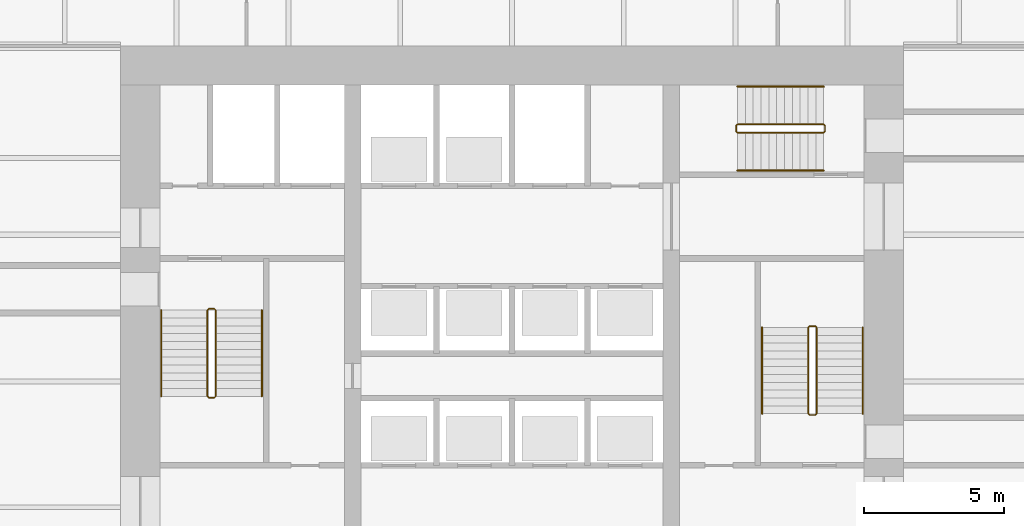
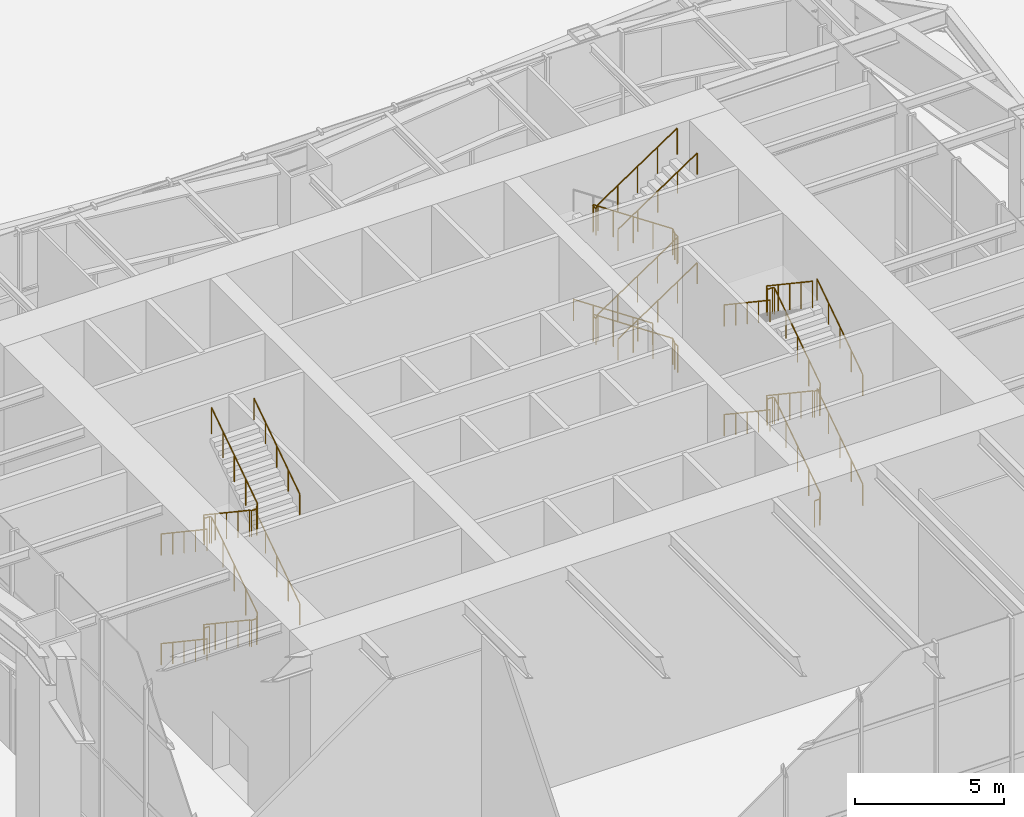
# One storey, part 11 of 13: 14 railings.
"""IFC4 building model written with IfcOpenShell, lengths in metres."""

from ifc_helpers import new_model, si_unit, direction, frame, origin, origin_2d, place, context, subcontext, project, spatial, circle, extrude, material, type_object, element, save


model = new_model("IFC4")

# Units and contexts
model_context = context("Model", 3, precision=1e-05, world=origin(), true_north=direction((0.0, 1.0)))
body_context = subcontext(model_context, "Body", "Model", "MODEL_VIEW")
ifc_project = project(units=[si_unit("LENGTHUNIT", "METRE"), si_unit("AREAUNIT", "SQUARE_METRE"), si_unit("VOLUMEUNIT", "CUBIC_METRE"), si_unit("PLANEANGLEUNIT", "RADIAN"), si_unit("MASSUNIT", "GRAM", prefix="KILO")], contexts=[model_context])

# Site, building, storey
site_placement = place(None, origin())
site = spatial("IfcSite", under=ifc_project, at=site_placement, CompositionType="ELEMENT")
building_placement = place(site_placement, origin())
building = spatial("IfcBuilding", under=site, at=building_placement, Name="Verdant Reach Tower", CompositionType="ELEMENT")
storey_placement = place(building_placement, origin())
storey = spatial("IfcBuildingStorey", under=building, at=storey_placement, Name="G", CompositionType="ELEMENT", Elevation=0.0)

# Railings
ifc_material = material(Name="Stainless steel", Category="steel")
railing_type_1 = type_object("IfcRailingType", Name="CO-GUARD", PredefinedType="GUARDRAIL", material=ifc_material)
railing_1_placement = place(storey_placement, frame((-10.64990234375, 29.60009765625, 0.0)))
element("IfcRailing", 1, at=railing_1_placement, inside=storey, type_object=railing_type_1, Name="G ST-1 stair guard 1", PredefinedType="GUARDRAIL", context=body_context, shape_type="SweptSolid", body=[
    extrude(circle(Radius=0.02392578125, at=origin_2d()), frame((0.0, 0.0, 1.076171875), z_axis=(-1.0, 0.0, 0.0), x_axis=(0.0, -1.0, 0.0)), (0.0, 0.0, 1.0), 0.2001953125),
    extrude(circle(Radius=0.02392578125, at=origin_2d()), frame((-0.2001953125, 0.0, 1.076171875), z_axis=(-0.248583702486, -0.249802250048, 0.935844527007), x_axis=(0.708833529934, -0.705375805398, 0.0)), (0.0, 0.0, 1.0), 0.200439453125),
    extrude(circle(Radius=0.02392578125, at=origin_2d()), frame((-0.25, -0.050048828125, 1.263671875), z_axis=(0.0, -0.830913701846, 0.55640131208), x_axis=(1.0, 0.0, 0.0)), (0.0, 0.0, 1.0), 3.706787109375),
    extrude(circle(Radius=0.02392578125, at=origin_2d()), frame((-0.25, -3.130126953125, 3.326171875), z_axis=(0.705375805398, -0.708833529934, 0.0), x_axis=(0.708833529934, 0.705375805398, 0.0)), (0.0, 0.0, 1.0), 0.070556640625),
    extrude(circle(Radius=0.02392578125, at=origin_2d()), frame((-0.2001953125, -3.18017578125, 3.326171875), z_axis=(1.0, 0.0, 0.0), x_axis=(0.0, 1.0, 0.0)), (0.0, 0.0, 1.0), 0.2001953125),
    extrude(circle(Radius=0.02392578125, at=origin_2d()), frame((0.0, -3.18017578125, 3.326171875), z_axis=(0.248583702486, 0.249802250048, 0.935844527007), x_axis=(-0.708833529934, 0.705375805398, 0.0)), (0.0, 0.0, 1.0), 0.200439453125),
    extrude(circle(Radius=0.02392578125, at=origin_2d()), frame((0.0498046875, -3.130126953125, 3.513671875), z_axis=(0.0, 0.830913701846, 0.55640131208), x_axis=(-1.0, 0.0, 0.0)), (0.0, 0.0, 1.0), 3.706787109375),
    extrude(circle(Radius=0.02392578125, at=origin_2d()), frame((0.0498046875, -0.050048828125, 5.576171875), z_axis=(-0.705375805398, 0.708833529934, 0.0), x_axis=(-0.708833529934, -0.705375805398, 0.0)), (0.0, 0.0, 1.0), 0.070556640625),
    extrude(circle(Radius=0.02392578125, at=origin_2d()), frame((0.0, 0.0, 5.576171875), z_axis=(-1.0, 0.0, 0.0), x_axis=(0.0, -1.0, 0.0)), (0.0, 0.0, 1.0), 0.2001953125),
    extrude(circle(Radius=0.02392578125, at=origin_2d()), frame((-0.2001953125, 0.0, 5.576171875), z_axis=(-0.248583702486, -0.249802250048, 0.935844527007), x_axis=(0.708833529934, -0.705375805398, 0.0)), (0.0, 0.0, 1.0), 0.200439453125),
    extrude(circle(Radius=0.02392578125, at=origin_2d()), frame((-0.25, -0.050048828125, 5.763671875), z_axis=(0.0, -0.830913701846, 0.55640131208), x_axis=(1.0, 0.0, 0.0)), (0.0, 0.0, 1.0), 3.706787109375),
    extrude(circle(Radius=0.02392578125, at=origin_2d()), frame((-0.25, -3.130126953125, 7.826171875), z_axis=(0.705375805398, -0.708833529934, 0.0), x_axis=(0.708833529934, 0.705375805398, 0.0)), (0.0, 0.0, 1.0), 0.070556640625),
    extrude(circle(Radius=0.02392578125, at=origin_2d()), frame((-0.2001953125, -3.18017578125, 7.826171875), z_axis=(1.0, 0.0, 0.0), x_axis=(0.0, 1.0, 0.0)), (0.0, 0.0, 1.0), 0.2001953125),
    extrude(circle(Radius=0.02392578125, at=origin_2d()), frame((0.0, -3.18017578125, 7.826171875), z_axis=(0.248583702486, 0.249802250048, 0.935844527007), x_axis=(-0.708833529934, 0.705375805398, 0.0)), (0.0, 0.0, 1.0), 0.200439453125),
    extrude(circle(Radius=0.02392578125, at=origin_2d()), frame((0.0498046875, -3.130126953125, 8.013671875), z_axis=(0.0, 0.830913701846, 0.55640131208), x_axis=(-1.0, 0.0, 0.0)), (0.0, 0.0, 1.0), 3.706787109375),
    extrude(circle(Radius=0.02099609375, at=origin_2d()), origin(), (0.0, 0.0, 1.0), 1.052001953125),
    extrude(circle(Radius=0.02099609375, at=origin_2d()), frame((-0.2001953125, 0.0, 0.0)), (0.0, 0.0, 1.0), 1.052001953125),
    extrude(circle(Radius=0.02099609375, at=origin_2d()), frame((-0.25, -0.050048828125, 0.1875)), (0.0, 0.0, 1.0), 1.052001953125),
    extrude(circle(Radius=0.02099609375, at=origin_2d()), frame((-0.25, -0.820068359375, 0.703125)), (0.0, 0.0, 1.0), 1.052001953125),
    extrude(circle(Radius=0.02099609375, at=origin_2d()), frame((-0.25, -1.590087890625, 1.21875)), (0.0, 0.0, 1.0), 1.052001953125),
    extrude(circle(Radius=0.02099609375, at=origin_2d()), frame((-0.25, -2.360107421875, 1.734375)), (0.0, 0.0, 1.0), 1.052001953125),
    extrude(circle(Radius=0.02099609375, at=origin_2d()), frame((-0.25, -3.130126953125, 2.25)), (0.0, 0.0, 1.0), 1.052001953125),
    extrude(circle(Radius=0.02099609375, at=origin_2d()), frame((-0.2001953125, -3.18017578125, 2.25)), (0.0, 0.0, 1.0), 1.052001953125),
    extrude(circle(Radius=0.02099609375, at=origin_2d()), frame((0.0, -3.18017578125, 2.25)), (0.0, 0.0, 1.0), 1.052001953125),
    extrude(circle(Radius=0.02099609375, at=origin_2d()), frame((0.0498046875, -3.130126953125, 2.4375)), (0.0, 0.0, 1.0), 1.052001953125),
    extrude(circle(Radius=0.02099609375, at=origin_2d()), frame((0.0498046875, -2.360107421875, 2.953125)), (0.0, 0.0, 1.0), 1.052001953125),
    extrude(circle(Radius=0.02099609375, at=origin_2d()), frame((0.0498046875, -1.590087890625, 3.46875)), (0.0, 0.0, 1.0), 1.052001953125),
    extrude(circle(Radius=0.02099609375, at=origin_2d()), frame((0.0498046875, -0.820068359375, 3.984375)), (0.0, 0.0, 1.0), 1.052001953125),
    extrude(circle(Radius=0.02099609375, at=origin_2d()), frame((0.0498046875, -0.050048828125, 4.5)), (0.0, 0.0, 1.0), 1.052001953125),
    extrude(circle(Radius=0.02099609375, at=origin_2d()), frame((0.0, 0.0, 4.5)), (0.0, 0.0, 1.0), 1.052001953125),
    extrude(circle(Radius=0.02099609375, at=origin_2d()), frame((-0.2001953125, 0.0, 4.5)), (0.0, 0.0, 1.0), 1.052001953125),
    extrude(circle(Radius=0.02099609375, at=origin_2d()), frame((-0.25, -0.050048828125, 4.6875)), (0.0, 0.0, 1.0), 1.052001953125),
    extrude(circle(Radius=0.02099609375, at=origin_2d()), frame((-0.25, -0.820068359375, 5.203125)), (0.0, 0.0, 1.0), 1.052001953125),
    extrude(circle(Radius=0.02099609375, at=origin_2d()), frame((-0.25, -1.590087890625, 5.71875)), (0.0, 0.0, 1.0), 1.052001953125),
    extrude(circle(Radius=0.02099609375, at=origin_2d()), frame((-0.25, -2.360107421875, 6.234375)), (0.0, 0.0, 1.0), 1.052001953125),
    extrude(circle(Radius=0.02099609375, at=origin_2d()), frame((-0.25, -3.130126953125, 6.75)), (0.0, 0.0, 1.0), 1.052001953125),
    extrude(circle(Radius=0.02099609375, at=origin_2d()), frame((-0.2001953125, -3.18017578125, 6.75)), (0.0, 0.0, 1.0), 1.052001953125),
    extrude(circle(Radius=0.02099609375, at=origin_2d()), frame((0.0, -3.18017578125, 6.75)), (0.0, 0.0, 1.0), 1.052001953125),
    extrude(circle(Radius=0.02099609375, at=origin_2d()), frame((0.0498046875, -3.130126953125, 6.9375)), (0.0, 0.0, 1.0), 1.052001953125),
    extrude(circle(Radius=0.02099609375, at=origin_2d()), frame((0.0498046875, -2.360107421875, 7.453125)), (0.0, 0.0, 1.0), 1.052001953125),
    extrude(circle(Radius=0.02099609375, at=origin_2d()), frame((0.0498046875, -1.590087890625, 7.96875)), (0.0, 0.0, 1.0), 1.052001953125),
    extrude(circle(Radius=0.02099609375, at=origin_2d()), frame((0.0498046875, -0.820068359375, 8.484375)), (0.0, 0.0, 1.0), 1.052001953125),
    extrude(circle(Radius=0.02099609375, at=origin_2d()), frame((0.0498046875, -0.050048828125, 9.0)), (0.0, 0.0, 1.0), 1.052001953125),
])
railing_2_placement = place(storey_placement, frame((10.64990234375, 25.800048828125, 0.0)))
element("IfcRailing", 2, at=railing_2_placement, inside=storey, type_object=railing_type_1, Name="G ST-2 stair guard 1", PredefinedType="GUARDRAIL", context=body_context, shape_type="SweptSolid", body=[
    extrude(circle(Radius=0.02392578125, at=origin_2d()), frame((0.0, 0.0, 1.076171875), z_axis=(1.0, 0.0, 0.0), x_axis=(0.0, 1.0, 0.0)), (0.0, 0.0, 1.0), 0.2001953125),
    extrude(circle(Radius=0.02392578125, at=origin_2d()), frame((0.2001953125, 0.0, 1.076171875), z_axis=(0.248583702486, 0.249802250048, 0.935844527007), x_axis=(-0.708833529934, 0.705375805398, 0.0)), (0.0, 0.0, 1.0), 0.200439453125),
    extrude(circle(Radius=0.02392578125, at=origin_2d()), frame((0.25, 0.050048828125, 1.263671875), z_axis=(0.0, 0.830893310487, 0.556431762742), x_axis=(-1.0, 0.0, 0.0)), (0.0, 0.0, 1.0), 3.70654296875),
    extrude(circle(Radius=0.02392578125, at=origin_2d()), frame((0.25, 3.1298828125, 3.326171875), z_axis=(-0.705375805398, 0.708833529934, 0.0), x_axis=(-0.708833529934, -0.705375805398, 0.0)), (0.0, 0.0, 1.0), 0.070556640625),
    extrude(circle(Radius=0.02392578125, at=origin_2d()), frame((0.2001953125, 3.179931640625, 3.326171875), z_axis=(-1.0, 0.0, 0.0), x_axis=(0.0, -1.0, 0.0)), (0.0, 0.0, 1.0), 0.2001953125),
    extrude(circle(Radius=0.02392578125, at=origin_2d()), frame((0.0, 3.179931640625, 3.326171875), z_axis=(-0.248583702486, -0.249802250048, 0.935844527007), x_axis=(0.708833529934, -0.705375805398, 0.0)), (0.0, 0.0, 1.0), 0.200439453125),
    extrude(circle(Radius=0.02392578125, at=origin_2d()), frame((-0.0498046875, 3.1298828125, 3.513671875), z_axis=(0.0, -0.830893310487, 0.556431762742), x_axis=(1.0, 0.0, 0.0)), (0.0, 0.0, 1.0), 3.70654296875),
    extrude(circle(Radius=0.02392578125, at=origin_2d()), frame((-0.0498046875, 0.050048828125, 5.576171875), z_axis=(0.705375805398, -0.708833529934, 0.0), x_axis=(0.708833529934, 0.705375805398, 0.0)), (0.0, 0.0, 1.0), 0.070556640625),
    extrude(circle(Radius=0.02392578125, at=origin_2d()), frame((0.0, 0.0, 5.576171875), z_axis=(1.0, 0.0, 0.0), x_axis=(0.0, 1.0, 0.0)), (0.0, 0.0, 1.0), 0.2001953125),
    extrude(circle(Radius=0.02392578125, at=origin_2d()), frame((0.2001953125, 0.0, 5.576171875), z_axis=(0.248583702486, 0.249802250048, 0.935844527007), x_axis=(-0.708833529934, 0.705375805398, 0.0)), (0.0, 0.0, 1.0), 0.200439453125),
    extrude(circle(Radius=0.02392578125, at=origin_2d()), frame((0.25, 0.050048828125, 5.763671875), z_axis=(0.0, 0.830893310487, 0.556431762742), x_axis=(-1.0, 0.0, 0.0)), (0.0, 0.0, 1.0), 3.70654296875),
    extrude(circle(Radius=0.02392578125, at=origin_2d()), frame((0.25, 3.1298828125, 7.826171875), z_axis=(-0.705375805398, 0.708833529934, 0.0), x_axis=(-0.708833529934, -0.705375805398, 0.0)), (0.0, 0.0, 1.0), 0.070556640625),
    extrude(circle(Radius=0.02392578125, at=origin_2d()), frame((0.2001953125, 3.179931640625, 7.826171875), z_axis=(-1.0, 0.0, 0.0), x_axis=(0.0, -1.0, 0.0)), (0.0, 0.0, 1.0), 0.2001953125),
    extrude(circle(Radius=0.02392578125, at=origin_2d()), frame((0.0, 3.179931640625, 7.826171875), z_axis=(-0.248583702486, -0.249802250048, 0.935844527007), x_axis=(0.708833529934, -0.705375805398, 0.0)), (0.0, 0.0, 1.0), 0.200439453125),
    extrude(circle(Radius=0.02392578125, at=origin_2d()), frame((-0.0498046875, 3.1298828125, 8.013671875), z_axis=(0.0, -0.830893310487, 0.556431762742), x_axis=(1.0, 0.0, 0.0)), (0.0, 0.0, 1.0), 3.70654296875),
    extrude(circle(Radius=0.02099609375, at=origin_2d()), origin(), (0.0, 0.0, 1.0), 1.052001953125),
    extrude(circle(Radius=0.02099609375, at=origin_2d()), frame((0.2001953125, 0.0, 0.0)), (0.0, 0.0, 1.0), 1.052001953125),
    extrude(circle(Radius=0.02099609375, at=origin_2d()), frame((0.25, 0.050048828125, 0.1875)), (0.0, 0.0, 1.0), 1.052001953125),
    extrude(circle(Radius=0.02099609375, at=origin_2d()), frame((0.25, 0.820068359375, 0.703125)), (0.0, 0.0, 1.0), 1.052001953125),
    extrude(circle(Radius=0.02099609375, at=origin_2d()), frame((0.25, 1.58984375, 1.21875)), (0.0, 0.0, 1.0), 1.052001953125),
    extrude(circle(Radius=0.02099609375, at=origin_2d()), frame((0.25, 2.35986328125, 1.734375)), (0.0, 0.0, 1.0), 1.052001953125),
    extrude(circle(Radius=0.02099609375, at=origin_2d()), frame((0.25, 3.1298828125, 2.25)), (0.0, 0.0, 1.0), 1.052001953125),
    extrude(circle(Radius=0.02099609375, at=origin_2d()), frame((0.2001953125, 3.179931640625, 2.25)), (0.0, 0.0, 1.0), 1.052001953125),
    extrude(circle(Radius=0.02099609375, at=origin_2d()), frame((0.0, 3.179931640625, 2.25)), (0.0, 0.0, 1.0), 1.052001953125),
    extrude(circle(Radius=0.02099609375, at=origin_2d()), frame((-0.0498046875, 3.1298828125, 2.4375)), (0.0, 0.0, 1.0), 1.052001953125),
    extrude(circle(Radius=0.02099609375, at=origin_2d()), frame((-0.0498046875, 2.35986328125, 2.953125)), (0.0, 0.0, 1.0), 1.052001953125),
    extrude(circle(Radius=0.02099609375, at=origin_2d()), frame((-0.0498046875, 1.58984375, 3.46875)), (0.0, 0.0, 1.0), 1.052001953125),
    extrude(circle(Radius=0.02099609375, at=origin_2d()), frame((-0.0498046875, 0.820068359375, 3.984375)), (0.0, 0.0, 1.0), 1.052001953125),
    extrude(circle(Radius=0.02099609375, at=origin_2d()), frame((-0.0498046875, 0.050048828125, 4.5)), (0.0, 0.0, 1.0), 1.052001953125),
    extrude(circle(Radius=0.02099609375, at=origin_2d()), frame((0.0, 0.0, 4.5)), (0.0, 0.0, 1.0), 1.052001953125),
    extrude(circle(Radius=0.02099609375, at=origin_2d()), frame((0.2001953125, 0.0, 4.5)), (0.0, 0.0, 1.0), 1.052001953125),
    extrude(circle(Radius=0.02099609375, at=origin_2d()), frame((0.25, 0.050048828125, 4.6875)), (0.0, 0.0, 1.0), 1.052001953125),
    extrude(circle(Radius=0.02099609375, at=origin_2d()), frame((0.25, 0.820068359375, 5.203125)), (0.0, 0.0, 1.0), 1.052001953125),
    extrude(circle(Radius=0.02099609375, at=origin_2d()), frame((0.25, 1.58984375, 5.71875)), (0.0, 0.0, 1.0), 1.052001953125),
    extrude(circle(Radius=0.02099609375, at=origin_2d()), frame((0.25, 2.35986328125, 6.234375)), (0.0, 0.0, 1.0), 1.052001953125),
    extrude(circle(Radius=0.02099609375, at=origin_2d()), frame((0.25, 3.1298828125, 6.75)), (0.0, 0.0, 1.0), 1.052001953125),
    extrude(circle(Radius=0.02099609375, at=origin_2d()), frame((0.2001953125, 3.179931640625, 6.75)), (0.0, 0.0, 1.0), 1.052001953125),
    extrude(circle(Radius=0.02099609375, at=origin_2d()), frame((0.0, 3.179931640625, 6.75)), (0.0, 0.0, 1.0), 1.052001953125),
    extrude(circle(Radius=0.02099609375, at=origin_2d()), frame((-0.0498046875, 3.1298828125, 6.9375)), (0.0, 0.0, 1.0), 1.052001953125),
    extrude(circle(Radius=0.02099609375, at=origin_2d()), frame((-0.0498046875, 2.35986328125, 7.453125)), (0.0, 0.0, 1.0), 1.052001953125),
    extrude(circle(Radius=0.02099609375, at=origin_2d()), frame((-0.0498046875, 1.58984375, 7.96875)), (0.0, 0.0, 1.0), 1.052001953125),
    extrude(circle(Radius=0.02099609375, at=origin_2d()), frame((-0.0498046875, 0.820068359375, 8.484375)), (0.0, 0.0, 1.0), 1.052001953125),
    extrude(circle(Radius=0.02099609375, at=origin_2d()), frame((-0.0498046875, 0.050048828125, 9.0)), (0.0, 0.0, 1.0), 1.052001953125),
])
railing_3_placement = place(storey_placement, frame((11.199951171875, 35.949951171875, 0.0)))
element("IfcRailing", 3, at=railing_3_placement, inside=storey, type_object=railing_type_1, Name="G ST-3 stair guard 1", PredefinedType="GUARDRAIL", context=body_context, shape_type="SweptSolid", body=[
    extrude(circle(Radius=0.02392578125, at=origin_2d()), frame((0.0, 0.0, 1.076171875), z_axis=(0.0, 1.0, 0.0), x_axis=(-1.0, 0.0, 0.0)), (0.0, 0.0, 1.0), 0.199951171875),
    extrude(circle(Radius=0.02392578125, at=origin_2d()), frame((0.0, 0.199951171875, 1.076171875), z_axis=(-0.249726431254, 0.249726431254, 0.935560483917), x_axis=(-0.707106781187, -0.707106781187, 0.0)), (0.0, 0.0, 1.0), 0.200439453125),
    extrude(circle(Radius=0.02392578125, at=origin_2d()), frame((-0.050048828125, 0.25, 1.263671875), z_axis=(-0.830893310487, 0.0, 0.556431762742), x_axis=(0.0, -1.0, 0.0)), (0.0, 0.0, 1.0), 3.70654296875),
    extrude(circle(Radius=0.02392578125, at=origin_2d()), frame((-3.1298828125, 0.25, 3.326171875), z_axis=(-0.707106781187, -0.707106781187, 0.0), x_axis=(0.707106781187, -0.707106781187, 0.0)), (0.0, 0.0, 1.0), 0.07080078125),
    extrude(circle(Radius=0.02392578125, at=origin_2d()), frame((-3.179931640625, 0.199951171875, 3.326171875), z_axis=(0.0, -1.0, 0.0), x_axis=(1.0, 0.0, 0.0)), (0.0, 0.0, 1.0), 0.199951171875),
    extrude(circle(Radius=0.02392578125, at=origin_2d()), frame((-3.179931640625, 0.0, 3.326171875), z_axis=(0.249726431254, -0.249726431254, 0.935560483917), x_axis=(0.707106781187, 0.707106781187, 0.0)), (0.0, 0.0, 1.0), 0.200439453125),
    extrude(circle(Radius=0.02392578125, at=origin_2d()), frame((-3.1298828125, -0.050048828125, 3.513671875), z_axis=(0.830893310487, 0.0, 0.556431762742), x_axis=(0.0, 1.0, 0.0)), (0.0, 0.0, 1.0), 3.70654296875),
    extrude(circle(Radius=0.02392578125, at=origin_2d()), frame((-0.050048828125, -0.050048828125, 5.576171875), z_axis=(0.707106781187, 0.707106781187, 0.0), x_axis=(-0.707106781187, 0.707106781187, 0.0)), (0.0, 0.0, 1.0), 0.07080078125),
    extrude(circle(Radius=0.02392578125, at=origin_2d()), frame((0.0, 0.0, 5.576171875), z_axis=(0.0, 1.0, 0.0), x_axis=(-1.0, 0.0, 0.0)), (0.0, 0.0, 1.0), 0.199951171875),
    extrude(circle(Radius=0.02392578125, at=origin_2d()), frame((0.0, 0.199951171875, 5.576171875), z_axis=(-0.249726431254, 0.249726431254, 0.935560483917), x_axis=(-0.707106781187, -0.707106781187, 0.0)), (0.0, 0.0, 1.0), 0.200439453125),
    extrude(circle(Radius=0.02392578125, at=origin_2d()), frame((-0.050048828125, 0.25, 5.763671875), z_axis=(-0.830893310487, 0.0, 0.556431762742), x_axis=(0.0, -1.0, 0.0)), (0.0, 0.0, 1.0), 3.70654296875),
    extrude(circle(Radius=0.02392578125, at=origin_2d()), frame((-3.1298828125, 0.25, 7.826171875), z_axis=(-0.707106781187, -0.707106781187, 0.0), x_axis=(0.707106781187, -0.707106781187, 0.0)), (0.0, 0.0, 1.0), 0.07080078125),
    extrude(circle(Radius=0.02392578125, at=origin_2d()), frame((-3.179931640625, 0.199951171875, 7.826171875), z_axis=(0.0, -1.0, 0.0), x_axis=(1.0, 0.0, 0.0)), (0.0, 0.0, 1.0), 0.199951171875),
    extrude(circle(Radius=0.02392578125, at=origin_2d()), frame((-3.179931640625, 0.0, 7.826171875), z_axis=(0.249726431254, -0.249726431254, 0.935560483917), x_axis=(0.707106781187, 0.707106781187, 0.0)), (0.0, 0.0, 1.0), 0.200439453125),
    extrude(circle(Radius=0.02392578125, at=origin_2d()), frame((-3.1298828125, -0.050048828125, 8.013671875), z_axis=(0.830893310487, 0.0, 0.556431762742), x_axis=(0.0, 1.0, 0.0)), (0.0, 0.0, 1.0), 3.70654296875),
    extrude(circle(Radius=0.02099609375, at=origin_2d()), origin(), (0.0, 0.0, 1.0), 1.052001953125),
    extrude(circle(Radius=0.02099609375, at=origin_2d()), frame((0.0, 0.199951171875, 0.0)), (0.0, 0.0, 1.0), 1.052001953125),
    extrude(circle(Radius=0.02099609375, at=origin_2d()), frame((-0.050048828125, 0.25, 0.1875)), (0.0, 0.0, 1.0), 1.052001953125),
    extrude(circle(Radius=0.02099609375, at=origin_2d()), frame((-0.820068359375, 0.25, 0.703125)), (0.0, 0.0, 1.0), 1.052001953125),
    extrude(circle(Radius=0.02099609375, at=origin_2d()), frame((-1.58984375, 0.25, 1.21875)), (0.0, 0.0, 1.0), 1.052001953125),
    extrude(circle(Radius=0.02099609375, at=origin_2d()), frame((-2.35986328125, 0.25, 1.734375)), (0.0, 0.0, 1.0), 1.052001953125),
    extrude(circle(Radius=0.02099609375, at=origin_2d()), frame((-3.1298828125, 0.25, 2.25)), (0.0, 0.0, 1.0), 1.052001953125),
    extrude(circle(Radius=0.02099609375, at=origin_2d()), frame((-3.179931640625, 0.199951171875, 2.25)), (0.0, 0.0, 1.0), 1.052001953125),
    extrude(circle(Radius=0.02099609375, at=origin_2d()), frame((-3.179931640625, 0.0, 2.25)), (0.0, 0.0, 1.0), 1.052001953125),
    extrude(circle(Radius=0.02099609375, at=origin_2d()), frame((-3.1298828125, -0.050048828125, 2.4375)), (0.0, 0.0, 1.0), 1.052001953125),
    extrude(circle(Radius=0.02099609375, at=origin_2d()), frame((-2.35986328125, -0.050048828125, 2.953125)), (0.0, 0.0, 1.0), 1.052001953125),
    extrude(circle(Radius=0.02099609375, at=origin_2d()), frame((-1.58984375, -0.050048828125, 3.46875)), (0.0, 0.0, 1.0), 1.052001953125),
    extrude(circle(Radius=0.02099609375, at=origin_2d()), frame((-0.820068359375, -0.050048828125, 3.984375)), (0.0, 0.0, 1.0), 1.052001953125),
    extrude(circle(Radius=0.02099609375, at=origin_2d()), frame((-0.050048828125, -0.050048828125, 4.5)), (0.0, 0.0, 1.0), 1.052001953125),
    extrude(circle(Radius=0.02099609375, at=origin_2d()), frame((0.0, 0.0, 4.5)), (0.0, 0.0, 1.0), 1.052001953125),
    extrude(circle(Radius=0.02099609375, at=origin_2d()), frame((0.0, 0.199951171875, 4.5)), (0.0, 0.0, 1.0), 1.052001953125),
    extrude(circle(Radius=0.02099609375, at=origin_2d()), frame((-0.050048828125, 0.25, 4.6875)), (0.0, 0.0, 1.0), 1.052001953125),
    extrude(circle(Radius=0.02099609375, at=origin_2d()), frame((-0.820068359375, 0.25, 5.203125)), (0.0, 0.0, 1.0), 1.052001953125),
    extrude(circle(Radius=0.02099609375, at=origin_2d()), frame((-1.58984375, 0.25, 5.71875)), (0.0, 0.0, 1.0), 1.052001953125),
    extrude(circle(Radius=0.02099609375, at=origin_2d()), frame((-2.35986328125, 0.25, 6.234375)), (0.0, 0.0, 1.0), 1.052001953125),
    extrude(circle(Radius=0.02099609375, at=origin_2d()), frame((-3.1298828125, 0.25, 6.75)), (0.0, 0.0, 1.0), 1.052001953125),
    extrude(circle(Radius=0.02099609375, at=origin_2d()), frame((-3.179931640625, 0.199951171875, 6.75)), (0.0, 0.0, 1.0), 1.052001953125),
    extrude(circle(Radius=0.02099609375, at=origin_2d()), frame((-3.179931640625, 0.0, 6.75)), (0.0, 0.0, 1.0), 1.052001953125),
    extrude(circle(Radius=0.02099609375, at=origin_2d()), frame((-3.1298828125, -0.050048828125, 6.9375)), (0.0, 0.0, 1.0), 1.052001953125),
    extrude(circle(Radius=0.02099609375, at=origin_2d()), frame((-2.35986328125, -0.050048828125, 7.453125)), (0.0, 0.0, 1.0), 1.052001953125),
    extrude(circle(Radius=0.02099609375, at=origin_2d()), frame((-1.58984375, -0.050048828125, 7.96875)), (0.0, 0.0, 1.0), 1.052001953125),
    extrude(circle(Radius=0.02099609375, at=origin_2d()), frame((-0.820068359375, -0.050048828125, 8.484375)), (0.0, 0.0, 1.0), 1.052001953125),
    extrude(circle(Radius=0.02099609375, at=origin_2d()), frame((-0.050048828125, -0.050048828125, 9.0)), (0.0, 0.0, 1.0), 1.052001953125),
])
railing_type_2 = type_object("IfcRailingType", Name="CO-HANDRAIL", PredefinedType="HANDRAIL", material=ifc_material)
railing_4_placement = place(storey_placement, frame((-12.550048828125, 29.550048828125, 0.1875)))
element("IfcRailing", 4, at=railing_4_placement, inside=storey, type_object=railing_type_2, Name="G ST-1 stair handrail 1", PredefinedType="HANDRAIL", context=body_context, shape_type="SweptSolid", body=[
    extrude(circle(Radius=0.02392578125, at=origin_2d()), frame((0.0, 0.0, 0.8759765625), z_axis=(0.0, -0.830913701846, 0.55640131208), x_axis=(1.0, 0.0, 0.0)), (0.0, 0.0, 1.0), 3.706787109375),
    extrude(circle(Radius=0.02099609375, at=origin_2d()), origin(), (0.0, 0.0, 1.0), 0.851806640625),
    extrude(circle(Radius=0.02099609375, at=origin_2d()), frame((0.0, -0.77001953125, 0.515625)), (0.0, 0.0, 1.0), 0.851806640625),
    extrude(circle(Radius=0.02099609375, at=origin_2d()), frame((0.0, -1.5400390625, 1.03125)), (0.0, 0.0, 1.0), 0.851806640625),
    extrude(circle(Radius=0.02099609375, at=origin_2d()), frame((0.0, -2.31005859375, 1.546875)), (0.0, 0.0, 1.0), 0.851806640625),
    extrude(circle(Radius=0.02099609375, at=origin_2d()), frame((0.0, -3.080078125, 2.0625)), (0.0, 0.0, 1.0), 0.851806640625),
])
railing_5_placement = place(storey_placement, frame((-8.949951171875, 26.469970703125, 2.4375)))
element("IfcRailing", 5, at=railing_5_placement, inside=storey, type_object=railing_type_2, Name="G ST-1 stair handrail 2", PredefinedType="HANDRAIL", context=body_context, shape_type="SweptSolid", body=[
    extrude(circle(Radius=0.02392578125, at=origin_2d()), frame((0.0, 0.0, 0.8759765625), z_axis=(0.0, 0.830913701846, 0.55640131208), x_axis=(-1.0, 0.0, 0.0)), (0.0, 0.0, 1.0), 3.706787109375),
    extrude(circle(Radius=0.02099609375, at=origin_2d()), origin(), (0.0, 0.0, 1.0), 0.851806640625),
    extrude(circle(Radius=0.02099609375, at=origin_2d()), frame((0.0, 0.77001953125, 0.515625)), (0.0, 0.0, 1.0), 0.851806640625),
    extrude(circle(Radius=0.02099609375, at=origin_2d()), frame((0.0, 1.5400390625, 1.03125)), (0.0, 0.0, 1.0), 0.851806640625),
    extrude(circle(Radius=0.02099609375, at=origin_2d()), frame((0.0, 2.31005859375, 1.546875)), (0.0, 0.0, 1.0), 0.851806640625),
    extrude(circle(Radius=0.02099609375, at=origin_2d()), frame((0.0, 3.080078125, 2.0625)), (0.0, 0.0, 1.0), 0.851806640625),
])
railing_6_placement = place(storey_placement, frame((-12.550048828125, 29.550048828125, 4.6875)))
element("IfcRailing", 6, at=railing_6_placement, inside=storey, type_object=railing_type_2, Name="G ST-1 stair handrail 3", PredefinedType="HANDRAIL", context=body_context, shape_type="SweptSolid", body=[
    extrude(circle(Radius=0.02392578125, at=origin_2d()), frame((0.0, 0.0, 0.8759765625), z_axis=(0.0, -0.830913701846, 0.55640131208), x_axis=(1.0, 0.0, 0.0)), (0.0, 0.0, 1.0), 3.706787109375),
    extrude(circle(Radius=0.02099609375, at=origin_2d()), origin(), (0.0, 0.0, 1.0), 0.851806640625),
    extrude(circle(Radius=0.02099609375, at=origin_2d()), frame((0.0, -0.77001953125, 0.515625)), (0.0, 0.0, 1.0), 0.851806640625),
    extrude(circle(Radius=0.02099609375, at=origin_2d()), frame((0.0, -1.5400390625, 1.03125)), (0.0, 0.0, 1.0), 0.851806640625),
    extrude(circle(Radius=0.02099609375, at=origin_2d()), frame((0.0, -2.31005859375, 1.546875)), (0.0, 0.0, 1.0), 0.851806640625),
    extrude(circle(Radius=0.02099609375, at=origin_2d()), frame((0.0, -3.080078125, 2.0625)), (0.0, 0.0, 1.0), 0.851806640625),
])
railing_7_placement = place(storey_placement, frame((-8.949951171875, 26.469970703125, 6.9375)))
element("IfcRailing", 7, at=railing_7_placement, inside=storey, type_object=railing_type_2, Name="G ST-1 stair handrail 4", PredefinedType="HANDRAIL", context=body_context, shape_type="SweptSolid", body=[
    extrude(circle(Radius=0.02392578125, at=origin_2d()), frame((0.0, 0.0, 0.8759765625), z_axis=(0.0, 0.830913701846, 0.55640131208), x_axis=(-1.0, 0.0, 0.0)), (0.0, 0.0, 1.0), 3.706787109375),
    extrude(circle(Radius=0.02099609375, at=origin_2d()), origin(), (0.0, 0.0, 1.0), 0.851806640625),
    extrude(circle(Radius=0.02099609375, at=origin_2d()), frame((0.0, 0.77001953125, 0.515625)), (0.0, 0.0, 1.0), 0.851806640625),
    extrude(circle(Radius=0.02099609375, at=origin_2d()), frame((0.0, 1.5400390625, 1.03125)), (0.0, 0.0, 1.0), 0.851806640625),
    extrude(circle(Radius=0.02099609375, at=origin_2d()), frame((0.0, 2.31005859375, 1.546875)), (0.0, 0.0, 1.0), 0.851806640625),
    extrude(circle(Radius=0.02099609375, at=origin_2d()), frame((0.0, 3.080078125, 2.0625)), (0.0, 0.0, 1.0), 0.851806640625),
])
railing_8_placement = place(storey_placement, frame((12.550048828125, 25.85009765625, 0.1875)))
element("IfcRailing", 8, at=railing_8_placement, inside=storey, type_object=railing_type_2, Name="G ST-2 stair handrail 1", PredefinedType="HANDRAIL", context=body_context, shape_type="SweptSolid", body=[
    extrude(circle(Radius=0.02392578125, at=origin_2d()), frame((0.0, 0.0, 0.8759765625), z_axis=(0.0, 0.830893310487, 0.556431762742), x_axis=(-1.0, 0.0, 0.0)), (0.0, 0.0, 1.0), 3.70654296875),
    extrude(circle(Radius=0.02099609375, at=origin_2d()), origin(), (0.0, 0.0, 1.0), 0.851806640625),
    extrude(circle(Radius=0.02099609375, at=origin_2d()), frame((0.0, 0.77001953125, 0.515625)), (0.0, 0.0, 1.0), 0.851806640625),
    extrude(circle(Radius=0.02099609375, at=origin_2d()), frame((0.0, 1.5400390625, 1.03125)), (0.0, 0.0, 1.0), 0.851806640625),
    extrude(circle(Radius=0.02099609375, at=origin_2d()), frame((0.0, 2.309814453125, 1.546875)), (0.0, 0.0, 1.0), 0.851806640625),
    extrude(circle(Radius=0.02099609375, at=origin_2d()), frame((0.0, 3.079833984375, 2.0625)), (0.0, 0.0, 1.0), 0.851806640625),
])
railing_9_placement = place(storey_placement, frame((8.949951171875, 28.929931640625, 2.4375)))
element("IfcRailing", 9, at=railing_9_placement, inside=storey, type_object=railing_type_2, Name="G ST-2 stair handrail 2", PredefinedType="HANDRAIL", context=body_context, shape_type="SweptSolid", body=[
    extrude(circle(Radius=0.02392578125, at=origin_2d()), frame((0.0, 0.0, 0.8759765625), z_axis=(0.0, -0.830893310487, 0.556431762742), x_axis=(1.0, 0.0, 0.0)), (0.0, 0.0, 1.0), 3.70654296875),
    extrude(circle(Radius=0.02099609375, at=origin_2d()), origin(), (0.0, 0.0, 1.0), 0.851806640625),
    extrude(circle(Radius=0.02099609375, at=origin_2d()), frame((0.0, -0.77001953125, 0.515625)), (0.0, 0.0, 1.0), 0.851806640625),
    extrude(circle(Radius=0.02099609375, at=origin_2d()), frame((0.0, -1.5400390625, 1.03125)), (0.0, 0.0, 1.0), 0.851806640625),
    extrude(circle(Radius=0.02099609375, at=origin_2d()), frame((0.0, -2.309814453125, 1.546875)), (0.0, 0.0, 1.0), 0.851806640625),
    extrude(circle(Radius=0.02099609375, at=origin_2d()), frame((0.0, -3.079833984375, 2.0625)), (0.0, 0.0, 1.0), 0.851806640625),
])
railing_10_placement = place(storey_placement, frame((12.550048828125, 25.85009765625, 4.6875)))
element("IfcRailing", 10, at=railing_10_placement, inside=storey, type_object=railing_type_2, Name="G ST-2 stair handrail 3", PredefinedType="HANDRAIL", context=body_context, shape_type="SweptSolid", body=[
    extrude(circle(Radius=0.02392578125, at=origin_2d()), frame((0.0, 0.0, 0.8759765625), z_axis=(0.0, 0.830893310487, 0.556431762742), x_axis=(-1.0, 0.0, 0.0)), (0.0, 0.0, 1.0), 3.70654296875),
    extrude(circle(Radius=0.02099609375, at=origin_2d()), origin(), (0.0, 0.0, 1.0), 0.851806640625),
    extrude(circle(Radius=0.02099609375, at=origin_2d()), frame((0.0, 0.77001953125, 0.515625)), (0.0, 0.0, 1.0), 0.851806640625),
    extrude(circle(Radius=0.02099609375, at=origin_2d()), frame((0.0, 1.5400390625, 1.03125)), (0.0, 0.0, 1.0), 0.851806640625),
    extrude(circle(Radius=0.02099609375, at=origin_2d()), frame((0.0, 2.309814453125, 1.546875)), (0.0, 0.0, 1.0), 0.851806640625),
    extrude(circle(Radius=0.02099609375, at=origin_2d()), frame((0.0, 3.079833984375, 2.0625)), (0.0, 0.0, 1.0), 0.851806640625),
])
railing_11_placement = place(storey_placement, frame((8.949951171875, 28.929931640625, 6.9375)))
element("IfcRailing", 11, at=railing_11_placement, inside=storey, type_object=railing_type_2, Name="G ST-2 stair handrail 4", PredefinedType="HANDRAIL", context=body_context, shape_type="SweptSolid", body=[
    extrude(circle(Radius=0.02392578125, at=origin_2d()), frame((0.0, 0.0, 0.8759765625), z_axis=(0.0, -0.830893310487, 0.556431762742), x_axis=(1.0, 0.0, 0.0)), (0.0, 0.0, 1.0), 3.70654296875),
    extrude(circle(Radius=0.02099609375, at=origin_2d()), origin(), (0.0, 0.0, 1.0), 0.851806640625),
    extrude(circle(Radius=0.02099609375, at=origin_2d()), frame((0.0, -0.77001953125, 0.515625)), (0.0, 0.0, 1.0), 0.851806640625),
    extrude(circle(Radius=0.02099609375, at=origin_2d()), frame((0.0, -1.5400390625, 1.03125)), (0.0, 0.0, 1.0), 0.851806640625),
    extrude(circle(Radius=0.02099609375, at=origin_2d()), frame((0.0, -2.309814453125, 1.546875)), (0.0, 0.0, 1.0), 0.851806640625),
    extrude(circle(Radius=0.02099609375, at=origin_2d()), frame((0.0, -3.079833984375, 2.0625)), (0.0, 0.0, 1.0), 0.851806640625),
])
railing_12_placement = place(storey_placement, frame((11.14990234375, 37.550048828125, 0.1875)))
element("IfcRailing", 12, at=railing_12_placement, inside=storey, type_object=railing_type_2, Name="G ST-3 stair handrail 1", PredefinedType="HANDRAIL", context=body_context, shape_type="SweptSolid", body=[
    extrude(circle(Radius=0.02392578125, at=origin_2d()), frame((0.0, 0.0, 0.8759765625), z_axis=(-0.830893310487, 0.0, 0.556431762742), x_axis=(0.0, -1.0, 0.0)), (0.0, 0.0, 1.0), 3.70654296875),
    extrude(circle(Radius=0.02099609375, at=origin_2d()), origin(), (0.0, 0.0, 1.0), 0.851806640625),
    extrude(circle(Radius=0.02099609375, at=origin_2d()), frame((-0.77001953125, 0.0, 0.515625)), (0.0, 0.0, 1.0), 0.851806640625),
    extrude(circle(Radius=0.02099609375, at=origin_2d()), frame((-1.5400390625, 0.0, 1.03125)), (0.0, 0.0, 1.0), 0.851806640625),
    extrude(circle(Radius=0.02099609375, at=origin_2d()), frame((-2.309814453125, 0.0, 1.546875)), (0.0, 0.0, 1.0), 0.851806640625),
    extrude(circle(Radius=0.02099609375, at=origin_2d()), frame((-3.079833984375, 0.0, 2.0625)), (0.0, 0.0, 1.0), 0.851806640625),
])
for number, where, name in (
    (13, (8.070068359375, 34.550048828125, 2.4375), "G ST-3 stair handrail 2"),
    (14, (8.070068359375, 34.550048828125, 6.9375), "G ST-3 stair handrail 4"),
):
    element("IfcRailing", number, at=place(storey_placement, frame(where)), inside=storey, type_object=railing_type_2, Name=name, PredefinedType="HANDRAIL", context=body_context, shape_type="SweptSolid", body=[
        extrude(circle(Radius=0.02392578125, at=origin_2d()), frame((0.0, 0.0, 0.8759765625), z_axis=(0.830893310487, 0.0, 0.556431762742), x_axis=(0.0, 1.0, 0.0)), (0.0, 0.0, 1.0), 3.70654296875),
        extrude(circle(Radius=0.02099609375, at=origin_2d()), origin(), (0.0, 0.0, 1.0), 0.851806640625),
        extrude(circle(Radius=0.02099609375, at=origin_2d()), frame((0.77001953125, 0.0, 0.515625)), (0.0, 0.0, 1.0), 0.851806640625),
        extrude(circle(Radius=0.02099609375, at=origin_2d()), frame((1.5400390625, 0.0, 1.03125)), (0.0, 0.0, 1.0), 0.851806640625),
        extrude(circle(Radius=0.02099609375, at=origin_2d()), frame((2.309814453125, 0.0, 1.546875)), (0.0, 0.0, 1.0), 0.851806640625),
        extrude(circle(Radius=0.02099609375, at=origin_2d()), frame((3.079833984375, 0.0, 2.0625)), (0.0, 0.0, 1.0), 0.851806640625),
    ])

save(model, "model.ifc")
